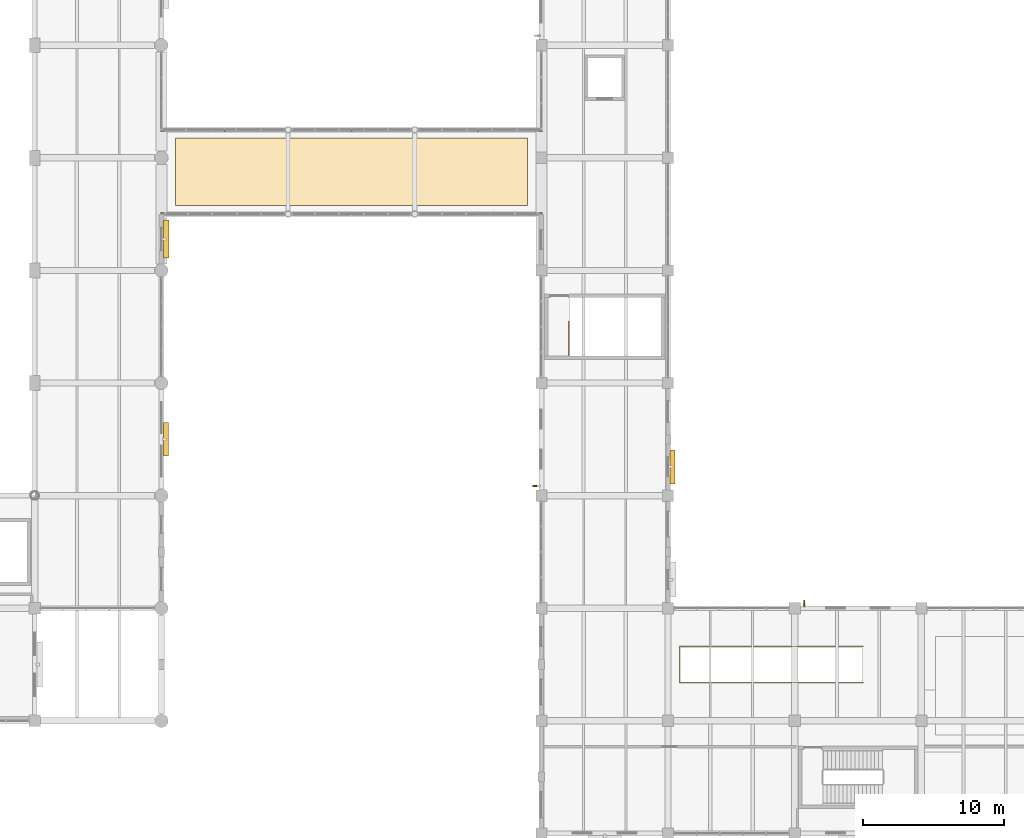
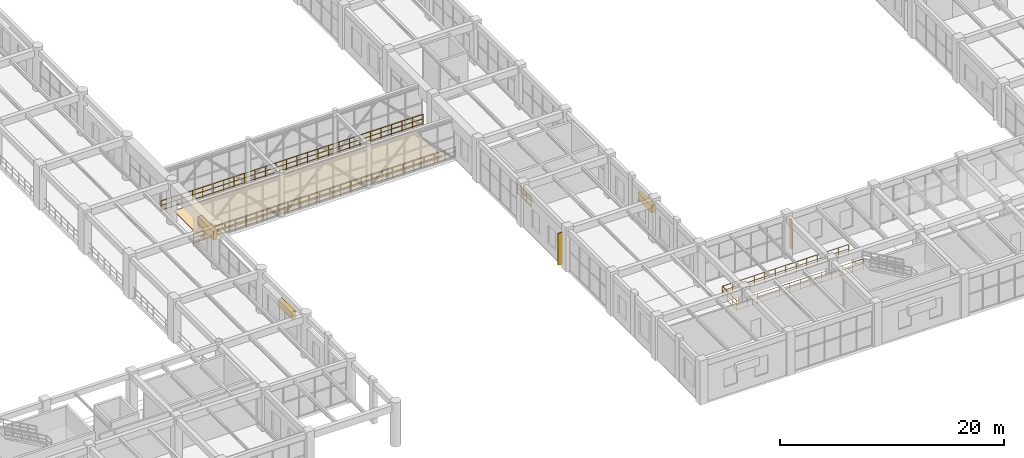
# One storey, part 171 of 178: 5 shading devices, 4 railings, 1 covering.
"""IFC4 building model written with IfcOpenShell, lengths in metres."""

import ifcopenshell
import ifcopenshell.guid

model = None  # the IFC model being written
_history = None  # IfcOwnerHistory: only IFC2X3 demands one
_inside = {}  # id of a spatial element -> (the spatial element, [elements in it])
_under = {}  # id of a project, library or spatial element -> (it, [spatial elements below it])
_declared = {}  # id of a project -> (the project, [libraries it declares])
_typed = {}  # id of a type object -> (the type object, [elements of that type])
_made_of = {}  # id of a material, layer set ... -> (it, [elements and type objects made of it])


def new_model(schema):
    """Start an empty IFC model of exactly this schema.

    Asked for "IFC4X3", IfcOpenShell would pick the latest addendum, in which some entities
    have other attributes; the version numbers below select the first issue.
    IFC2X3 requires an IfcOwnerHistory on every rooted entity: one is made here for all.
    """
    global model, _history
    if schema == "IFC4X3":
        model = ifcopenshell.file(schema_version=(4, 3, 0, 0))
    else:
        model = ifcopenshell.file(schema=schema)
    _inside.clear()
    _under.clear()
    _declared.clear()
    _typed.clear()
    _made_of.clear()
    _history = None
    if model.schema == "IFC2X3":
        org = make("IfcOrganization", Name="unknown")
        user = make(
            "IfcPersonAndOrganization",
            ThePerson=make("IfcPerson", FamilyName="unknown"),
            TheOrganization=org,
        )
        app = make(
            "IfcApplication",
            ApplicationDeveloper=org,
            Version="unknown",
            ApplicationFullName="unknown",
            ApplicationIdentifier="unknown",
        )
        _history = make(
            "IfcOwnerHistory",
            OwningUser=user,
            OwningApplication=app,
            ChangeAction="ADDED",
            CreationDate=0,
        )
    return model


def make(cls, **values):
    """One entity of the class cls with the attributes given. An attribute that is None is left unset."""
    return model.create_entity(
        cls, **{name: value for name, value in values.items() if value is not None}
    )


def rooted(cls, **values):
    """An entity with a GlobalId (a new one), such as an element, a storey or a relation."""
    return make(cls, GlobalId=ifcopenshell.guid.new(), OwnerHistory=_history, **values)


def si_unit(unit_type, name, prefix=None):
    """IfcSIUnit, for example si_unit("LENGTHUNIT", "METRE", prefix="MILLI")."""
    return make("IfcSIUnit", UnitType=unit_type, Prefix=prefix, Name=name)


def derived_unit(unit_type, elements):
    """IfcDerivedUnit: a product of units, each with its exponent."""
    return make(
        "IfcDerivedUnit",
        Elements=[
            make("IfcDerivedUnitElement", Unit=unit, Exponent=power)
            for unit, power in elements
        ],
        UnitType=unit_type,
    )


def assignment(units):
    """IfcUnitAssignment: the units of a project."""
    return None if units is None else make("IfcUnitAssignment", Units=units)


def point(xyz):
    """IfcCartesianPoint."""
    return None if xyz is None else make("IfcCartesianPoint", Coordinates=xyz)


def direction(xyz):
    """IfcDirection."""
    return None if xyz is None else make("IfcDirection", DirectionRatios=xyz)


def frame(location, z_axis=None, x_axis=None):
    """IfcAxis2Placement3D, a coordinate frame: its origin and axes. An axis left out is left unset."""
    return make(
        "IfcAxis2Placement3D",
        Location=point(location),
        Axis=direction(z_axis),
        RefDirection=direction(x_axis),
    )


def frame_2d(location, x_axis=None):
    """IfcAxis2Placement2D, a coordinate frame in the plane: its origin and x axis."""
    return make(
        "IfcAxis2Placement2D", Location=point(location), RefDirection=direction(x_axis)
    )


def origin():
    """The frame at (0, 0, 0) with its axes left unset."""
    return frame((0.0, 0.0, 0.0))


def origin_2d():
    """The frame at (0, 0) in the plane with its x axis left unset."""
    return frame_2d((0.0, 0.0))


def place(relative_to, where):
    """IfcLocalPlacement: puts the frame where relative to a parent placement (None: the world)."""
    return make(
        "IfcLocalPlacement", PlacementRelTo=relative_to, RelativePlacement=where
    )


def context(
    kind, dimensions, precision=None, world=None, true_north=None, identifier=None
):
    """IfcGeometricRepresentationContext, for example the 3D "Model" context."""
    return make(
        "IfcGeometricRepresentationContext",
        ContextIdentifier=identifier,
        ContextType=kind,
        CoordinateSpaceDimension=dimensions,
        Precision=precision,
        WorldCoordinateSystem=world,
        TrueNorth=true_north,
    )


def subcontext(parent, identifier, kind, view, scale=None):
    """IfcGeometricRepresentationSubContext, for example "Body" below "Model"."""
    return make(
        "IfcGeometricRepresentationSubContext",
        ContextIdentifier=identifier,
        ContextType=kind,
        ParentContext=parent,
        TargetScale=scale,
        TargetView=view,
    )


def project(units=None, contexts=None):
    """IfcProject with its units and contexts."""
    return rooted(
        "IfcProject",
        Name="project",
        RepresentationContexts=contexts,
        UnitsInContext=assignment(units),
    )


def spatial(cls, under=None, at=None, **own):
    """A site, building, storey or space (cls), placed at a placement, below another one or the project."""
    s = rooted(cls, ObjectPlacement=at, **own)
    if under is not None:
        _under.setdefault(under.id(), (under, []))[1].append(s)
    return s


def polyline(points):
    """IfcPolyline through the points."""
    return make("IfcPolyline", Points=[point(p) for p in points])


def profile(cls, at=None, kind="AREA", **sizes):
    """A parametric profile (cls). Its sizes go by their IFC names, for example OverallWidth=200.0."""
    return make(cls, ProfileType=kind, Position=at, **sizes)


def rectangle(**sizes):
    """IfcRectangleProfileDef."""
    return profile("IfcRectangleProfileDef", **sizes)


def circle(**sizes):
    """IfcCircleProfileDef."""
    return profile("IfcCircleProfileDef", **sizes)


def outline(outer, holes=None, kind="AREA"):
    """IfcArbitraryClosedProfileDef: a profile drawn as a closed curve; with holes, ...WithVoids."""
    if holes is None:
        return make("IfcArbitraryClosedProfileDef", ProfileType=kind, OuterCurve=outer)
    return make(
        "IfcArbitraryProfileDefWithVoids",
        ProfileType=kind,
        OuterCurve=outer,
        InnerCurves=holes,
    )


def extrude(swept, where, along, depth):
    """IfcExtrudedAreaSolid: the profile swept, set in the frame where, extruded along a direction by depth."""
    return make(
        "IfcExtrudedAreaSolid",
        SweptArea=swept,
        Position=where,
        ExtrudedDirection=direction(along),
        Depth=depth,
    )


def shape(context_of_items, identifier, shape_type, items):
    """IfcShapeRepresentation: the items that make up one representation, for example the "Body"."""
    return make(
        "IfcShapeRepresentation",
        ContextOfItems=context_of_items,
        RepresentationIdentifier=identifier,
        RepresentationType=shape_type,
        Items=items,
    )


def material(Name=None, Category=None):
    """IfcMaterial."""
    return make("IfcMaterial", Name=Name, Category=Category)


def layer(
    of_material, thickness, ventilated=None, Name=None, Category=None, Priority=None
):
    """IfcMaterialLayer: one layer of a wall or slab, of a material (None: an air gap)."""
    return make(
        "IfcMaterialLayer",
        Material=of_material,
        LayerThickness=thickness,
        IsVentilated=ventilated,
        Name=Name,
        Category=Category,
        Priority=Priority,
    )


def layer_set(layers, Name=None):
    """IfcMaterialLayerSet."""
    return make("IfcMaterialLayerSet", MaterialLayers=layers, LayerSetName=Name)


def made_of(thing, what):
    """Note that an element or type object is made of a material, layer set ...; save() writes the relation."""
    if what is not None:
        _made_of.setdefault(what.id(), (what, []))[1].append(thing)
    return thing


def type_object(cls, material=None, **own):
    """A type object (cls), such as IfcWallType, which elements share."""
    return made_of(rooted(cls, **own), material)


def element(
    cls,
    number,
    at=None,
    inside=None,
    cuts=None,
    type_object=None,
    material=None,
    context=None,
    identifier="Body",
    shape_type=None,
    held_by="IfcProductDefinitionShape",
    body=None,
    shapes=None,
    **own,
):
    """One element of the class cls, such as IfcWall. Its Tag is "e" and its number.

    at: its placement. inside: the storey or other place that contains it. cuts: it is an
    opening in that element (IfcRelVoidsElement). A single representation is given by context,
    identifier, shape_type and body (its items); several are given by shapes. held_by: the class
    of the entity that holds the representations. save() writes the other relations.
    """
    e = rooted(cls, Tag="e%d" % number, ObjectPlacement=at, **own)
    if body is not None:
        shapes = [shape(context, identifier, shape_type, body)]
    if shapes is not None:
        e.Representation = make(held_by, Representations=shapes)
    if inside is not None:
        _inside.setdefault(inside.id(), (inside, []))[1].append(e)
    if cuts is not None:
        rooted(
            "IfcRelVoidsElement", RelatingBuildingElement=cuts, RelatedOpeningElement=e
        )
    if type_object is not None:
        _typed.setdefault(type_object.id(), (type_object, []))[1].append(e)
    return made_of(e, material)


def aggregate(whole, parts):
    """IfcRelAggregates: a whole, such as a stair, and the parts it consists of."""
    return rooted("IfcRelAggregates", RelatingObject=whole, RelatedObjects=parts)


def save(model, path):
    """Write the relations noted so far, then the file.

    IfcRelAggregates (storeys below a building ...), IfcRelContainedInSpatialStructure (elements
    in a storey), IfcRelDefinesByType, IfcRelAssociatesMaterial and IfcRelDeclares: one each for
    every whole, place, type object, material and project.
    """
    for whole, parts in _under.values():
        aggregate(whole, parts)
    for where, things in _inside.values():
        rooted(
            "IfcRelContainedInSpatialStructure",
            RelatedElements=things,
            RelatingStructure=where,
        )
    for kind, things in _typed.values():
        rooted("IfcRelDefinesByType", RelatedObjects=things, RelatingType=kind)
    for what, things in _made_of.values():
        rooted("IfcRelAssociatesMaterial", RelatedObjects=things, RelatingMaterial=what)
    for by, libraries in _declared.values():
        rooted("IfcRelDeclares", RelatingContext=by, RelatedDefinitions=libraries)
    model.write(path)


model = new_model("IFC4")

# Units and contexts
model_context = context("Model", 3, precision=1e-05, world=origin(), true_north=direction((0.0, 1.0)))
body_context = subcontext(model_context, "Body", "Model", "MODEL_VIEW")
ifc_project = project(units=[si_unit("LENGTHUNIT", "METRE"), si_unit("AREAUNIT", "SQUARE_METRE"), si_unit("VOLUMEUNIT", "CUBIC_METRE"), si_unit("PLANEANGLEUNIT", "RADIAN"), si_unit("MASSUNIT", "GRAM", prefix="KILO"), derived_unit("THERMALTRANSMITTANCEUNIT", [(si_unit("MASSUNIT", "GRAM", prefix="KILO"), 1), (si_unit("TIMEUNIT", "SECOND"), -3), (si_unit("THERMODYNAMICTEMPERATUREUNIT", "KELVIN"), -1)])], contexts=[model_context])

# Site, building, storey
site_placement = place(None, origin())
site = spatial("IfcSite", under=ifc_project, at=site_placement, CompositionType="ELEMENT")
building_placement = place(site_placement, origin())
building = spatial("IfcBuilding", under=site, at=building_placement, Name="Zhenchuan Archway Interchange", CompositionType="ELEMENT")
storey_placement = place(building_placement, frame((0.0, 0.0, 5.39990234375)))
storey = spatial("IfcBuildingStorey", under=building, at=storey_placement, Name="L01", CompositionType="ELEMENT", Elevation=5.39990234375)

# Covering
ifc_material_1 = material(Name="Granite Stone Cladding", Category="masonry")
ifc_layer_1 = layer(ifc_material_1, 0.030029296875)
ifc_layer_set_1 = layer_set([ifc_layer_1], Name="Granite Stone Cladding")
covering_type = type_object("IfcCoveringType", Name="COV_FLR_GRANITE", PredefinedType="FLOORING", material=ifc_layer_set_1)
covering_placement = place(storey_placement, origin())
element("IfcCovering", 1, at=covering_placement, inside=storey, type_object=covering_type, Name="Concourse floor finish panel 05 (L01)", PredefinedType="FLOORING", context=body_context, shape_type="SweptSolid", body=[
    extrude(outline(polyline([(73.0, 52.60009765625), (98.0, 52.60009765625), (98.0, 57.39990234375), (73.0, 57.39990234375), (73.0, 52.60009765625)])), origin(), (0.0, 0.0, 1.0), 0.030029296875),
])

# Railings
ifc_material_2 = material(Name="Stainless Steel 316", Category="steel")
ifc_layer_2 = layer(ifc_material_2, 0.070068359375)
ifc_layer_set_2 = layer_set([ifc_layer_2], Name="Stainless Steel 316")
railing_type_1 = type_object("IfcRailingType", Name="RL_BALUSTRADE_1150", PredefinedType="BALUSTRADE", material=ifc_layer_set_2)
railing_1_placement = place(storey_placement, frame((71.9599609375, 52.080078125, 0.0)))
element("IfcRailing", 2, at=railing_1_placement, inside=storey, type_object=railing_type_1, Name="Pedestrian footbridge safety balustrade S", PredefinedType="BALUSTRADE", context=body_context, shape_type="SweptSolid", body=[
    extrude(circle(Radius=0.02392578125, at=origin_2d()), frame((0.0, 0.0, 1.1259765625), z_axis=(1.0, 0.0, 0.0), x_axis=(0.0, 1.0, 0.0)), (0.0, 0.0, 1.0), 27.080078125),
    extrude(circle(Radius=0.01611328125, at=origin_2d()), frame((0.0, 0.0, 0.63232421875), z_axis=(1.0, 0.0, 0.0), x_axis=(0.0, 1.0, 0.0)), (0.0, 0.0, 1.0), 27.080078125),
    extrude(circle(Radius=0.01611328125, at=origin_2d()), frame((0.0, 0.0, 0.1201171875), z_axis=(1.0, 0.0, 0.0), x_axis=(0.0, 1.0, 0.0)), (0.0, 0.0, 1.0), 27.080078125),
    extrude(circle(Radius=0.02099609375, at=origin_2d()), origin(), (0.0, 0.0, 1.0), 1.1259765625),
    extrude(circle(Radius=0.02099609375, at=origin_2d()), frame((1.083251953125, 0.0, 0.0)), (0.0, 0.0, 1.0), 1.1259765625),
    extrude(circle(Radius=0.02099609375, at=origin_2d()), frame((2.16650390625, 0.0, 0.0)), (0.0, 0.0, 1.0), 1.1259765625),
    extrude(circle(Radius=0.02099609375, at=origin_2d()), frame((3.24951171875, 0.0, 0.0)), (0.0, 0.0, 1.0), 1.1259765625),
    extrude(circle(Radius=0.02099609375, at=origin_2d()), frame((4.332763671875, 0.0, 0.0)), (0.0, 0.0, 1.0), 1.1259765625),
    extrude(circle(Radius=0.02099609375, at=origin_2d()), frame((5.416015625, 0.0, 0.0)), (0.0, 0.0, 1.0), 1.1259765625),
    extrude(circle(Radius=0.02099609375, at=origin_2d()), frame((6.499267578125, 0.0, 0.0)), (0.0, 0.0, 1.0), 1.1259765625),
    extrude(circle(Radius=0.02099609375, at=origin_2d()), frame((7.58251953125, 0.0, 0.0)), (0.0, 0.0, 1.0), 1.1259765625),
    extrude(circle(Radius=0.02099609375, at=origin_2d()), frame((8.66552734375, 0.0, 0.0)), (0.0, 0.0, 1.0), 1.1259765625),
    extrude(circle(Radius=0.02099609375, at=origin_2d()), frame((9.748779296875, 0.0, 0.0)), (0.0, 0.0, 1.0), 1.1259765625),
    extrude(circle(Radius=0.02099609375, at=origin_2d()), frame((10.83203125, 0.0, 0.0)), (0.0, 0.0, 1.0), 1.1259765625),
    extrude(circle(Radius=0.02099609375, at=origin_2d()), frame((11.915283203125, 0.0, 0.0)), (0.0, 0.0, 1.0), 1.1259765625),
    extrude(circle(Radius=0.02099609375, at=origin_2d()), frame((12.99853515625, 0.0, 0.0)), (0.0, 0.0, 1.0), 1.1259765625),
    extrude(circle(Radius=0.02099609375, at=origin_2d()), frame((14.08154296875, 0.0, 0.0)), (0.0, 0.0, 1.0), 1.1259765625),
    extrude(circle(Radius=0.02099609375, at=origin_2d()), frame((15.164794921875, 0.0, 0.0)), (0.0, 0.0, 1.0), 1.1259765625),
    extrude(circle(Radius=0.02099609375, at=origin_2d()), frame((16.248046875, 0.0, 0.0)), (0.0, 0.0, 1.0), 1.1259765625),
    extrude(circle(Radius=0.02099609375, at=origin_2d()), frame((17.331298828125, 0.0, 0.0)), (0.0, 0.0, 1.0), 1.1259765625),
    extrude(circle(Radius=0.02099609375, at=origin_2d()), frame((18.41455078125, 0.0, 0.0)), (0.0, 0.0, 1.0), 1.1259765625),
    extrude(circle(Radius=0.02099609375, at=origin_2d()), frame((19.49755859375, 0.0, 0.0)), (0.0, 0.0, 1.0), 1.1259765625),
    extrude(circle(Radius=0.02099609375, at=origin_2d()), frame((20.580810546875, 0.0, 0.0)), (0.0, 0.0, 1.0), 1.1259765625),
    extrude(circle(Radius=0.02099609375, at=origin_2d()), frame((21.6640625, 0.0, 0.0)), (0.0, 0.0, 1.0), 1.1259765625),
    extrude(circle(Radius=0.02099609375, at=origin_2d()), frame((22.747314453125, 0.0, 0.0)), (0.0, 0.0, 1.0), 1.1259765625),
    extrude(circle(Radius=0.02099609375, at=origin_2d()), frame((23.83056640625, 0.0, 0.0)), (0.0, 0.0, 1.0), 1.1259765625),
    extrude(circle(Radius=0.02099609375, at=origin_2d()), frame((24.91357421875, 0.0, 0.0)), (0.0, 0.0, 1.0), 1.1259765625),
    extrude(circle(Radius=0.02099609375, at=origin_2d()), frame((25.996826171875, 0.0, 0.0)), (0.0, 0.0, 1.0), 1.1259765625),
    extrude(circle(Radius=0.02099609375, at=origin_2d()), frame((27.080078125, 0.0, 0.0)), (0.0, 0.0, 1.0), 1.1259765625),
])
railing_2_placement = place(storey_placement, frame((71.9599609375, 57.919921875, 0.0)))
element("IfcRailing", 3, at=railing_2_placement, inside=storey, type_object=railing_type_1, Name="Pedestrian footbridge safety balustrade N", PredefinedType="BALUSTRADE", context=body_context, shape_type="SweptSolid", body=[
    extrude(circle(Radius=0.02392578125, at=origin_2d()), frame((0.0, 0.0, 1.1259765625), z_axis=(1.0, 0.0, 0.0), x_axis=(0.0, 1.0, 0.0)), (0.0, 0.0, 1.0), 27.080078125),
    extrude(circle(Radius=0.01611328125, at=origin_2d()), frame((0.0, 0.0, 0.63232421875), z_axis=(1.0, 0.0, 0.0), x_axis=(0.0, 1.0, 0.0)), (0.0, 0.0, 1.0), 27.080078125),
    extrude(circle(Radius=0.01611328125, at=origin_2d()), frame((0.0, 0.0, 0.1201171875), z_axis=(1.0, 0.0, 0.0), x_axis=(0.0, 1.0, 0.0)), (0.0, 0.0, 1.0), 27.080078125),
    extrude(circle(Radius=0.02099609375, at=origin_2d()), origin(), (0.0, 0.0, 1.0), 1.1259765625),
    extrude(circle(Radius=0.02099609375, at=origin_2d()), frame((1.083251953125, 0.0, 0.0)), (0.0, 0.0, 1.0), 1.1259765625),
    extrude(circle(Radius=0.02099609375, at=origin_2d()), frame((2.16650390625, 0.0, 0.0)), (0.0, 0.0, 1.0), 1.1259765625),
    extrude(circle(Radius=0.02099609375, at=origin_2d()), frame((3.24951171875, 0.0, 0.0)), (0.0, 0.0, 1.0), 1.1259765625),
    extrude(circle(Radius=0.02099609375, at=origin_2d()), frame((4.332763671875, 0.0, 0.0)), (0.0, 0.0, 1.0), 1.1259765625),
    extrude(circle(Radius=0.02099609375, at=origin_2d()), frame((5.416015625, 0.0, 0.0)), (0.0, 0.0, 1.0), 1.1259765625),
    extrude(circle(Radius=0.02099609375, at=origin_2d()), frame((6.499267578125, 0.0, 0.0)), (0.0, 0.0, 1.0), 1.1259765625),
    extrude(circle(Radius=0.02099609375, at=origin_2d()), frame((7.58251953125, 0.0, 0.0)), (0.0, 0.0, 1.0), 1.1259765625),
    extrude(circle(Radius=0.02099609375, at=origin_2d()), frame((8.66552734375, 0.0, 0.0)), (0.0, 0.0, 1.0), 1.1259765625),
    extrude(circle(Radius=0.02099609375, at=origin_2d()), frame((9.748779296875, 0.0, 0.0)), (0.0, 0.0, 1.0), 1.1259765625),
    extrude(circle(Radius=0.02099609375, at=origin_2d()), frame((10.83203125, 0.0, 0.0)), (0.0, 0.0, 1.0), 1.1259765625),
    extrude(circle(Radius=0.02099609375, at=origin_2d()), frame((11.915283203125, 0.0, 0.0)), (0.0, 0.0, 1.0), 1.1259765625),
    extrude(circle(Radius=0.02099609375, at=origin_2d()), frame((12.99853515625, 0.0, 0.0)), (0.0, 0.0, 1.0), 1.1259765625),
    extrude(circle(Radius=0.02099609375, at=origin_2d()), frame((14.08154296875, 0.0, 0.0)), (0.0, 0.0, 1.0), 1.1259765625),
    extrude(circle(Radius=0.02099609375, at=origin_2d()), frame((15.164794921875, 0.0, 0.0)), (0.0, 0.0, 1.0), 1.1259765625),
    extrude(circle(Radius=0.02099609375, at=origin_2d()), frame((16.248046875, 0.0, 0.0)), (0.0, 0.0, 1.0), 1.1259765625),
    extrude(circle(Radius=0.02099609375, at=origin_2d()), frame((17.331298828125, 0.0, 0.0)), (0.0, 0.0, 1.0), 1.1259765625),
    extrude(circle(Radius=0.02099609375, at=origin_2d()), frame((18.41455078125, 0.0, 0.0)), (0.0, 0.0, 1.0), 1.1259765625),
    extrude(circle(Radius=0.02099609375, at=origin_2d()), frame((19.49755859375, 0.0, 0.0)), (0.0, 0.0, 1.0), 1.1259765625),
    extrude(circle(Radius=0.02099609375, at=origin_2d()), frame((20.580810546875, 0.0, 0.0)), (0.0, 0.0, 1.0), 1.1259765625),
    extrude(circle(Radius=0.02099609375, at=origin_2d()), frame((21.6640625, 0.0, 0.0)), (0.0, 0.0, 1.0), 1.1259765625),
    extrude(circle(Radius=0.02099609375, at=origin_2d()), frame((22.747314453125, 0.0, 0.0)), (0.0, 0.0, 1.0), 1.1259765625),
    extrude(circle(Radius=0.02099609375, at=origin_2d()), frame((23.83056640625, 0.0, 0.0)), (0.0, 0.0, 1.0), 1.1259765625),
    extrude(circle(Radius=0.02099609375, at=origin_2d()), frame((24.91357421875, 0.0, 0.0)), (0.0, 0.0, 1.0), 1.1259765625),
    extrude(circle(Radius=0.02099609375, at=origin_2d()), frame((25.996826171875, 0.0, 0.0)), (0.0, 0.0, 1.0), 1.1259765625),
    extrude(circle(Radius=0.02099609375, at=origin_2d()), frame((27.080078125, 0.0, 0.0)), (0.0, 0.0, 1.0), 1.1259765625),
])
ifc_material_3 = material(Name="Painted Galvanised Steel", Category="steel")
railing_type_2 = type_object("IfcRailingType", Name="RL_GUARD_1150", PredefinedType="GUARDRAIL", material=ifc_material_3)
railing_3_placement = place(storey_placement, frame((100.965087890625, 41.965087890625, 0.0)))
element("IfcRailing", 4, at=railing_3_placement, inside=storey, type_object=railing_type_2, Name="Stair ST-BR top landing guard (L01)", PredefinedType="GUARDRAIL", context=body_context, shape_type="SweptSolid", body=[
    extrude(circle(Radius=0.02392578125, at=origin_2d()), frame((0.0, 0.0, 1.1259765625), z_axis=(0.0, 1.0, 0.0), x_axis=(-1.0, 0.0, 0.0)), (0.0, 0.0, 1.0), 2.419921875),
    extrude(circle(Radius=0.01611328125, at=origin_2d()), frame((0.0, 0.0, 0.63232421875), z_axis=(0.0, 1.0, 0.0), x_axis=(-1.0, 0.0, 0.0)), (0.0, 0.0, 1.0), 2.419921875),
    extrude(circle(Radius=0.01611328125, at=origin_2d()), frame((0.0, 0.0, 0.1201171875), z_axis=(0.0, 1.0, 0.0), x_axis=(-1.0, 0.0, 0.0)), (0.0, 0.0, 1.0), 2.419921875),
    extrude(circle(Radius=0.02099609375, at=origin_2d()), origin(), (0.0, 0.0, 1.0), 1.1259765625),
    extrude(circle(Radius=0.02099609375, at=origin_2d()), frame((0.0, 0.806640625, 0.0)), (0.0, 0.0, 1.0), 1.1259765625),
    extrude(circle(Radius=0.02099609375, at=origin_2d()), frame((0.0, 1.61328125, 0.0)), (0.0, 0.0, 1.0), 1.1259765625),
    extrude(circle(Radius=0.02099609375, at=origin_2d()), frame((0.0, 2.419921875, 0.0)), (0.0, 0.0, 1.0), 1.1259765625),
])
railing_4_placement = place(storey_placement, frame((121.860107421875, 18.705078125, 0.0)))
element("IfcRailing", 5, at=railing_4_placement, inside=storey, type_object=railing_type_2, Name="Stair ST-P5 void perimeter guard (L01)", PredefinedType="GUARDRAIL", context=body_context, shape_type="SweptSolid", body=[
    extrude(circle(Radius=0.02392578125, at=origin_2d()), frame((0.0, 0.0, 1.1259765625), z_axis=(-1.0, 0.0, 0.0), x_axis=(0.0, -1.0, 0.0)), (0.0, 0.0, 1.0), 13.0400390625),
    extrude(circle(Radius=0.01611328125, at=origin_2d()), frame((0.0, 0.0, 0.63232421875), z_axis=(-1.0, 0.0, 0.0), x_axis=(0.0, -1.0, 0.0)), (0.0, 0.0, 1.0), 13.0400390625),
    extrude(circle(Radius=0.01611328125, at=origin_2d()), frame((0.0, 0.0, 0.1201171875), z_axis=(-1.0, 0.0, 0.0), x_axis=(0.0, -1.0, 0.0)), (0.0, 0.0, 1.0), 13.0400390625),
    extrude(circle(Radius=0.02392578125, at=origin_2d()), frame((-13.0400390625, 0.0, 1.1259765625), z_axis=(0.0, 1.0, 0.0), x_axis=(-1.0, 0.0, 0.0)), (0.0, 0.0, 1.0), 2.58984375),
    extrude(circle(Radius=0.01611328125, at=origin_2d()), frame((-13.0400390625, 0.0, 0.63232421875), z_axis=(0.0, 1.0, 0.0), x_axis=(-1.0, 0.0, 0.0)), (0.0, 0.0, 1.0), 2.58984375),
    extrude(circle(Radius=0.01611328125, at=origin_2d()), frame((-13.0400390625, 0.0, 0.1201171875), z_axis=(0.0, 1.0, 0.0), x_axis=(-1.0, 0.0, 0.0)), (0.0, 0.0, 1.0), 2.58984375),
    extrude(circle(Radius=0.02392578125, at=origin_2d()), frame((-13.0400390625, 2.58984375, 1.1259765625), z_axis=(1.0, 0.0, 0.0), x_axis=(0.0, 1.0, 0.0)), (0.0, 0.0, 1.0), 13.0400390625),
    extrude(circle(Radius=0.01611328125, at=origin_2d()), frame((-13.0400390625, 2.58984375, 0.63232421875), z_axis=(1.0, 0.0, 0.0), x_axis=(0.0, 1.0, 0.0)), (0.0, 0.0, 1.0), 13.0400390625),
    extrude(circle(Radius=0.01611328125, at=origin_2d()), frame((-13.0400390625, 2.58984375, 0.1201171875), z_axis=(1.0, 0.0, 0.0), x_axis=(0.0, 1.0, 0.0)), (0.0, 0.0, 1.0), 13.0400390625),
    extrude(circle(Radius=0.02099609375, at=origin_2d()), origin(), (0.0, 0.0, 1.0), 1.1259765625),
    extrude(circle(Radius=0.02099609375, at=origin_2d()), frame((-1.086669921875, 0.0, 0.0)), (0.0, 0.0, 1.0), 1.1259765625),
    extrude(circle(Radius=0.02099609375, at=origin_2d()), frame((-2.17333984375, 0.0, 0.0)), (0.0, 0.0, 1.0), 1.1259765625),
    extrude(circle(Radius=0.02099609375, at=origin_2d()), frame((-3.260009765625, 0.0, 0.0)), (0.0, 0.0, 1.0), 1.1259765625),
    extrude(circle(Radius=0.02099609375, at=origin_2d()), frame((-4.3466796875, 0.0, 0.0)), (0.0, 0.0, 1.0), 1.1259765625),
    extrude(circle(Radius=0.02099609375, at=origin_2d()), frame((-5.433349609375, 0.0, 0.0)), (0.0, 0.0, 1.0), 1.1259765625),
    extrude(circle(Radius=0.02099609375, at=origin_2d()), frame((-6.52001953125, 0.0, 0.0)), (0.0, 0.0, 1.0), 1.1259765625),
    extrude(circle(Radius=0.02099609375, at=origin_2d()), frame((-7.606689453125, 0.0, 0.0)), (0.0, 0.0, 1.0), 1.1259765625),
    extrude(circle(Radius=0.02099609375, at=origin_2d()), frame((-8.693359375, 0.0, 0.0)), (0.0, 0.0, 1.0), 1.1259765625),
    extrude(circle(Radius=0.02099609375, at=origin_2d()), frame((-9.780029296875, 0.0, 0.0)), (0.0, 0.0, 1.0), 1.1259765625),
    extrude(circle(Radius=0.02099609375, at=origin_2d()), frame((-10.86669921875, 0.0, 0.0)), (0.0, 0.0, 1.0), 1.1259765625),
    extrude(circle(Radius=0.02099609375, at=origin_2d()), frame((-11.953369140625, 0.0, 0.0)), (0.0, 0.0, 1.0), 1.1259765625),
    extrude(circle(Radius=0.02099609375, at=origin_2d()), frame((-13.0400390625, 0.0, 0.0)), (0.0, 0.0, 1.0), 1.1259765625),
    extrude(circle(Radius=0.02099609375, at=origin_2d()), frame((-13.0400390625, 0.86328125, 0.0)), (0.0, 0.0, 1.0), 1.1259765625),
    extrude(circle(Radius=0.02099609375, at=origin_2d()), frame((-13.0400390625, 1.7265625, 0.0)), (0.0, 0.0, 1.0), 1.1259765625),
    extrude(circle(Radius=0.02099609375, at=origin_2d()), frame((-13.0400390625, 2.58984375, 0.0)), (0.0, 0.0, 1.0), 1.1259765625),
    extrude(circle(Radius=0.02099609375, at=origin_2d()), frame((-11.953369140625, 2.58984375, 0.0)), (0.0, 0.0, 1.0), 1.1259765625),
    extrude(circle(Radius=0.02099609375, at=origin_2d()), frame((-10.86669921875, 2.58984375, 0.0)), (0.0, 0.0, 1.0), 1.1259765625),
    extrude(circle(Radius=0.02099609375, at=origin_2d()), frame((-9.780029296875, 2.58984375, 0.0)), (0.0, 0.0, 1.0), 1.1259765625),
    extrude(circle(Radius=0.02099609375, at=origin_2d()), frame((-8.693359375, 2.58984375, 0.0)), (0.0, 0.0, 1.0), 1.1259765625),
    extrude(circle(Radius=0.02099609375, at=origin_2d()), frame((-7.606689453125, 2.58984375, 0.0)), (0.0, 0.0, 1.0), 1.1259765625),
    extrude(circle(Radius=0.02099609375, at=origin_2d()), frame((-6.52001953125, 2.58984375, 0.0)), (0.0, 0.0, 1.0), 1.1259765625),
    extrude(circle(Radius=0.02099609375, at=origin_2d()), frame((-5.433349609375, 2.58984375, 0.0)), (0.0, 0.0, 1.0), 1.1259765625),
    extrude(circle(Radius=0.02099609375, at=origin_2d()), frame((-4.3466796875, 2.58984375, 0.0)), (0.0, 0.0, 1.0), 1.1259765625),
    extrude(circle(Radius=0.02099609375, at=origin_2d()), frame((-3.260009765625, 2.58984375, 0.0)), (0.0, 0.0, 1.0), 1.1259765625),
    extrude(circle(Radius=0.02099609375, at=origin_2d()), frame((-2.17333984375, 2.58984375, 0.0)), (0.0, 0.0, 1.0), 1.1259765625),
    extrude(circle(Radius=0.02099609375, at=origin_2d()), frame((-1.086669921875, 2.58984375, 0.0)), (0.0, 0.0, 1.0), 1.1259765625),
    extrude(circle(Radius=0.02099609375, at=origin_2d()), frame((0.0, 2.58984375, 0.0)), (0.0, 0.0, 1.0), 1.1259765625),
])

# Shading devices
ifc_material_4 = material(Name="Terracotta Ceramic", Category="masonry")
shading_device_type_1 = type_object("IfcShadingDeviceType", Name="SHD_FIN_1", PredefinedType="USERDEFINED", material=ifc_material_4)
shading_device_1_placement = place(storey_placement, frame((117.677978515625, 24.364013671875, 0.330078125), z_axis=(0.0, 0.0, 1.0), x_axis=(1.0, 0.0, 0.0)))
element("IfcShadingDevice", 6, at=shading_device_1_placement, inside=storey, type_object=shading_device_type_1, Name="Terracotta vertical solar fin L01-066", ObjectType="FINS", PredefinedType="USERDEFINED", context=body_context, shape_type="SweptSolid", body=[
    extrude(rectangle(XDim=0.090087890625, YDim=0.419921875, at=origin_2d()), origin(), (0.0, 0.0, 1.0), 3.199951171875),
])
shading_device_type_2 = type_object("IfcShadingDeviceType", Name="SHD_FIN_3", PredefinedType="USERDEFINED", material=ifc_material_4)
shading_device_2_placement = place(storey_placement, frame((98.615966796875, 32.677978515625, 0.2001953125), z_axis=(0.0, 0.0, 1.0), x_axis=(0.0, 1.0, 0.0)))
element("IfcShadingDevice", 7, at=shading_device_2_placement, inside=storey, type_object=shading_device_type_2, Name="Terracotta vertical solar fin L01-050", ObjectType="FINS", PredefinedType="USERDEFINED", context=body_context, shape_type="SweptSolid", body=[
    extrude(rectangle(XDim=0.10009765625, YDim=0.4599609375, at=origin_2d()), origin(), (0.0, 0.0, 1.0), 3.4599609375),
])
ifc_material_5 = material(Name="Anodised Aluminium", Category="aluminium")
shading_device_type_3 = type_object("IfcShadingDeviceType", Name="SHD_LOUVRE_1", PredefinedType="JALOUSIE", material=ifc_material_5)
shading_device_3_placement = place(storey_placement, frame((72.35400390625, 50.22607421875, 2.26025390625), z_axis=(0.0, 0.0, 1.0), x_axis=(0.0, -1.0, 0.0)))
element("IfcShadingDevice", 8, at=shading_device_3_placement, inside=storey, type_object=shading_device_type_3, Name="Monsoon storm-louvre jalousie L01-051", PredefinedType="JALOUSIE", context=body_context, shape_type="SweptSolid", body=[
    extrude(rectangle(XDim=2.7080078125, YDim=0.3798828125, at=origin_2d()), origin(), (0.0, 0.0, 1.0), 0.949951171875),
])
shading_device_type_4 = type_object("IfcShadingDeviceType", Name="SHD_LOUVRE_2", PredefinedType="JALOUSIE", material=ifc_material_5)
for number, where, z_axis, x_axis, name in (
    (9, (72.333984375, 36.0, 2.125), (0.0, 0.0, 1.0), (0.0, -1.0, 0.0), "Monsoon storm-louvre jalousie L01-052"),
    (10, (108.323974609375, 34.03759765625, 2.324951171875), (0.0, 0.0, 1.0), (0.0, -1.0, 0.0), "Monsoon storm-louvre jalousie L01-064"),
):
    element("IfcShadingDevice", number, at=place(storey_placement, frame(where, z_axis=z_axis, x_axis=x_axis)), inside=storey, type_object=shading_device_type_4, Name=name, PredefinedType="JALOUSIE", context=body_context, shape_type="SweptSolid", body=[
        extrude(rectangle(XDim=2.39990234375, YDim=0.340087890625, at=origin_2d()), origin(), (0.0, 0.0, 1.0), 0.85009765625),
    ])

save(model, "model.ifc")
